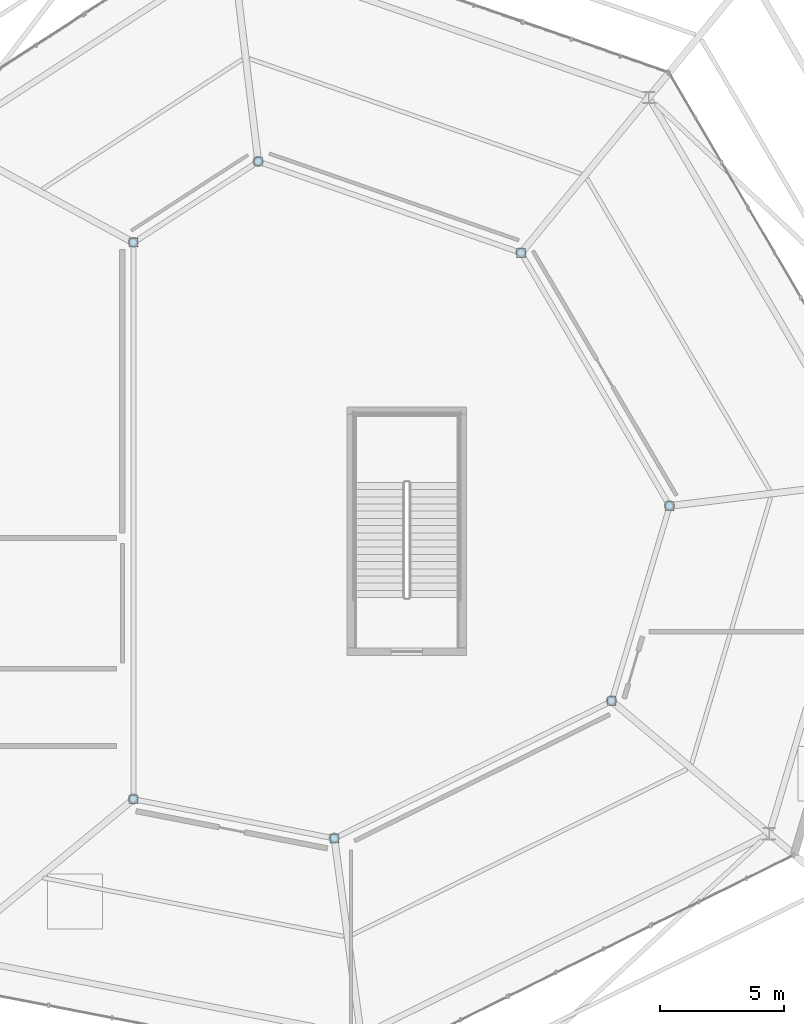
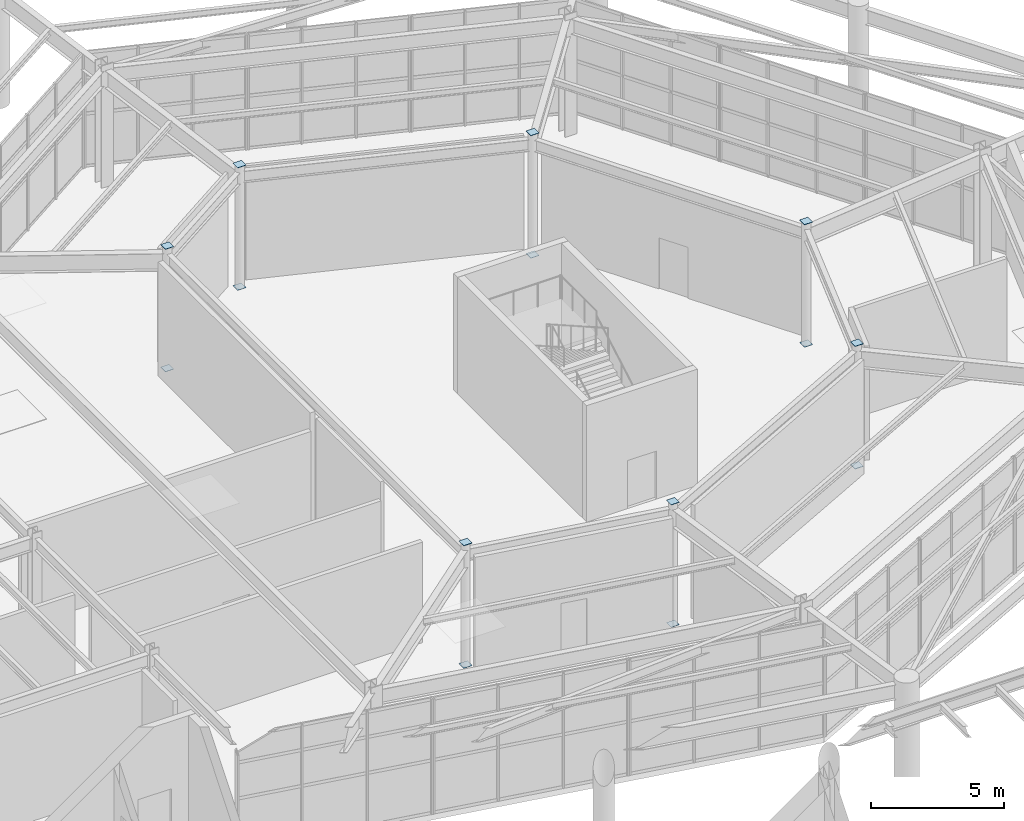
# One storey, part 42 of 70: 14 plates.
"""IFC4 building model written with IfcOpenShell, lengths in metres."""

import ifcopenshell
import ifcopenshell.guid

model = None  # the IFC model being written
_history = None  # IfcOwnerHistory: only IFC2X3 demands one
_inside = {}  # id of a spatial element -> (the spatial element, [elements in it])
_under = {}  # id of a project, library or spatial element -> (it, [spatial elements below it])
_declared = {}  # id of a project -> (the project, [libraries it declares])
_typed = {}  # id of a type object -> (the type object, [elements of that type])
_made_of = {}  # id of a material, layer set ... -> (it, [elements and type objects made of it])


def new_model(schema):
    """Start an empty IFC model of exactly this schema.

    Asked for "IFC4X3", IfcOpenShell would pick the latest addendum, in which some entities
    have other attributes; the version numbers below select the first issue.
    IFC2X3 requires an IfcOwnerHistory on every rooted entity: one is made here for all.
    """
    global model, _history
    if schema == "IFC4X3":
        model = ifcopenshell.file(schema_version=(4, 3, 0, 0))
    else:
        model = ifcopenshell.file(schema=schema)
    _inside.clear()
    _under.clear()
    _declared.clear()
    _typed.clear()
    _made_of.clear()
    _history = None
    if model.schema == "IFC2X3":
        org = make("IfcOrganization", Name="unknown")
        user = make(
            "IfcPersonAndOrganization",
            ThePerson=make("IfcPerson", FamilyName="unknown"),
            TheOrganization=org,
        )
        app = make(
            "IfcApplication",
            ApplicationDeveloper=org,
            Version="unknown",
            ApplicationFullName="unknown",
            ApplicationIdentifier="unknown",
        )
        _history = make(
            "IfcOwnerHistory",
            OwningUser=user,
            OwningApplication=app,
            ChangeAction="ADDED",
            CreationDate=0,
        )
    return model


def make(cls, **values):
    """One entity of the class cls with the attributes given. An attribute that is None is left unset."""
    return model.create_entity(
        cls, **{name: value for name, value in values.items() if value is not None}
    )


def rooted(cls, **values):
    """An entity with a GlobalId (a new one), such as an element, a storey or a relation."""
    return make(cls, GlobalId=ifcopenshell.guid.new(), OwnerHistory=_history, **values)


def si_unit(unit_type, name, prefix=None):
    """IfcSIUnit, for example si_unit("LENGTHUNIT", "METRE", prefix="MILLI")."""
    return make("IfcSIUnit", UnitType=unit_type, Prefix=prefix, Name=name)


def assignment(units):
    """IfcUnitAssignment: the units of a project."""
    return None if units is None else make("IfcUnitAssignment", Units=units)


def point(xyz):
    """IfcCartesianPoint."""
    return None if xyz is None else make("IfcCartesianPoint", Coordinates=xyz)


def direction(xyz):
    """IfcDirection."""
    return None if xyz is None else make("IfcDirection", DirectionRatios=xyz)


def frame(location, z_axis=None, x_axis=None):
    """IfcAxis2Placement3D, a coordinate frame: its origin and axes. An axis left out is left unset."""
    return make(
        "IfcAxis2Placement3D",
        Location=point(location),
        Axis=direction(z_axis),
        RefDirection=direction(x_axis),
    )


def frame_2d(location, x_axis=None):
    """IfcAxis2Placement2D, a coordinate frame in the plane: its origin and x axis."""
    return make(
        "IfcAxis2Placement2D", Location=point(location), RefDirection=direction(x_axis)
    )


def origin():
    """The frame at (0, 0, 0) with its axes left unset."""
    return frame((0.0, 0.0, 0.0))


def origin_2d():
    """The frame at (0, 0) in the plane with its x axis left unset."""
    return frame_2d((0.0, 0.0))


def place(relative_to, where):
    """IfcLocalPlacement: puts the frame where relative to a parent placement (None: the world)."""
    return make(
        "IfcLocalPlacement", PlacementRelTo=relative_to, RelativePlacement=where
    )


def context(
    kind, dimensions, precision=None, world=None, true_north=None, identifier=None
):
    """IfcGeometricRepresentationContext, for example the 3D "Model" context."""
    return make(
        "IfcGeometricRepresentationContext",
        ContextIdentifier=identifier,
        ContextType=kind,
        CoordinateSpaceDimension=dimensions,
        Precision=precision,
        WorldCoordinateSystem=world,
        TrueNorth=true_north,
    )


def subcontext(parent, identifier, kind, view, scale=None):
    """IfcGeometricRepresentationSubContext, for example "Body" below "Model"."""
    return make(
        "IfcGeometricRepresentationSubContext",
        ContextIdentifier=identifier,
        ContextType=kind,
        ParentContext=parent,
        TargetScale=scale,
        TargetView=view,
    )


def project(units=None, contexts=None):
    """IfcProject with its units and contexts."""
    return rooted(
        "IfcProject",
        Name="project",
        RepresentationContexts=contexts,
        UnitsInContext=assignment(units),
    )


def spatial(cls, under=None, at=None, **own):
    """A site, building, storey or space (cls), placed at a placement, below another one or the project."""
    s = rooted(cls, ObjectPlacement=at, **own)
    if under is not None:
        _under.setdefault(under.id(), (under, []))[1].append(s)
    return s


def profile(cls, at=None, kind="AREA", **sizes):
    """A parametric profile (cls). Its sizes go by their IFC names, for example OverallWidth=200.0."""
    return make(cls, ProfileType=kind, Position=at, **sizes)


def rectangle(**sizes):
    """IfcRectangleProfileDef."""
    return profile("IfcRectangleProfileDef", **sizes)


def extrude(swept, where, along, depth):
    """IfcExtrudedAreaSolid: the profile swept, set in the frame where, extruded along a direction by depth."""
    return make(
        "IfcExtrudedAreaSolid",
        SweptArea=swept,
        Position=where,
        ExtrudedDirection=direction(along),
        Depth=depth,
    )


def shape(context_of_items, identifier, shape_type, items):
    """IfcShapeRepresentation: the items that make up one representation, for example the "Body"."""
    return make(
        "IfcShapeRepresentation",
        ContextOfItems=context_of_items,
        RepresentationIdentifier=identifier,
        RepresentationType=shape_type,
        Items=items,
    )


def material(Name=None, Category=None):
    """IfcMaterial."""
    return make("IfcMaterial", Name=Name, Category=Category)


def layer(
    of_material, thickness, ventilated=None, Name=None, Category=None, Priority=None
):
    """IfcMaterialLayer: one layer of a wall or slab, of a material (None: an air gap)."""
    return make(
        "IfcMaterialLayer",
        Material=of_material,
        LayerThickness=thickness,
        IsVentilated=ventilated,
        Name=Name,
        Category=Category,
        Priority=Priority,
    )


def layer_set(layers, Name=None):
    """IfcMaterialLayerSet."""
    return make("IfcMaterialLayerSet", MaterialLayers=layers, LayerSetName=Name)


def made_of(thing, what):
    """Note that an element or type object is made of a material, layer set ...; save() writes the relation."""
    if what is not None:
        _made_of.setdefault(what.id(), (what, []))[1].append(thing)
    return thing


def type_object(cls, material=None, **own):
    """A type object (cls), such as IfcWallType, which elements share."""
    return made_of(rooted(cls, **own), material)


def element(
    cls,
    number,
    at=None,
    inside=None,
    cuts=None,
    type_object=None,
    material=None,
    context=None,
    identifier="Body",
    shape_type=None,
    held_by="IfcProductDefinitionShape",
    body=None,
    shapes=None,
    **own,
):
    """One element of the class cls, such as IfcWall. Its Tag is "e" and its number.

    at: its placement. inside: the storey or other place that contains it. cuts: it is an
    opening in that element (IfcRelVoidsElement). A single representation is given by context,
    identifier, shape_type and body (its items); several are given by shapes. held_by: the class
    of the entity that holds the representations. save() writes the other relations.
    """
    e = rooted(cls, Tag="e%d" % number, ObjectPlacement=at, **own)
    if body is not None:
        shapes = [shape(context, identifier, shape_type, body)]
    if shapes is not None:
        e.Representation = make(held_by, Representations=shapes)
    if inside is not None:
        _inside.setdefault(inside.id(), (inside, []))[1].append(e)
    if cuts is not None:
        rooted(
            "IfcRelVoidsElement", RelatingBuildingElement=cuts, RelatedOpeningElement=e
        )
    if type_object is not None:
        _typed.setdefault(type_object.id(), (type_object, []))[1].append(e)
    return made_of(e, material)


def aggregate(whole, parts):
    """IfcRelAggregates: a whole, such as a stair, and the parts it consists of."""
    return rooted("IfcRelAggregates", RelatingObject=whole, RelatedObjects=parts)


def save(model, path):
    """Write the relations noted so far, then the file.

    IfcRelAggregates (storeys below a building ...), IfcRelContainedInSpatialStructure (elements
    in a storey), IfcRelDefinesByType, IfcRelAssociatesMaterial and IfcRelDeclares: one each for
    every whole, place, type object, material and project.
    """
    for whole, parts in _under.values():
        aggregate(whole, parts)
    for where, things in _inside.values():
        rooted(
            "IfcRelContainedInSpatialStructure",
            RelatedElements=things,
            RelatingStructure=where,
        )
    for kind, things in _typed.values():
        rooted("IfcRelDefinesByType", RelatedObjects=things, RelatingType=kind)
    for what, things in _made_of.values():
        rooted("IfcRelAssociatesMaterial", RelatedObjects=things, RelatingMaterial=what)
    for by, libraries in _declared.values():
        rooted("IfcRelDeclares", RelatingContext=by, RelatedDefinitions=libraries)
    model.write(path)


model = new_model("IFC4")

# Units and contexts
model_context = context("Model", 3, precision=1e-05, world=origin(), true_north=direction((0.0, 1.0)))
body_context = subcontext(model_context, "Body", "Model", "MODEL_VIEW")
ifc_project = project(units=[si_unit("LENGTHUNIT", "METRE"), si_unit("AREAUNIT", "SQUARE_METRE"), si_unit("VOLUMEUNIT", "CUBIC_METRE"), si_unit("PLANEANGLEUNIT", "RADIAN"), si_unit("MASSUNIT", "GRAM", prefix="KILO")], contexts=[model_context])

# Site, building, storey
site_placement = place(None, origin())
site = spatial("IfcSite", under=ifc_project, at=site_placement, CompositionType="ELEMENT")
building_placement = place(site_placement, origin())
building = spatial("IfcBuilding", under=site, at=building_placement, Name="Sarnbrook Museum", CompositionType="ELEMENT")
storey_placement = place(building_placement, origin())
storey = spatial("IfcBuildingStorey", under=building, at=storey_placement, Name="L00", CompositionType="ELEMENT", Elevation=0.0)

# Plates
ifc_material = material(Name="Structural Steel Grade 350L0 (AS/NZS 3678, fy = 340 MPa for 20 < t <= 40 mm)", Category="steel")
ifc_layer = layer(ifc_material, 0.01611328125)
ifc_layer_set = layer_set([ifc_layer], Name="Structural Steel Grade 350L0 (AS/NZS 3678, fy = 340 MPa for 20 < t <= 40 mm)")
plate_type = type_object("IfcPlateType", Name="EndCapPlate_CAP355", PredefinedType="USERDEFINED", material=ifc_layer_set)
for number, where, z_axis, x_axis, name in (
    (1, (132.800048828125, 74.405029296875, -0.01611328125), (0.0, 0.0, 1.0), (1.0, 0.0, 0.0), "Hollow End Cap Plate COL:L00:V1R2-0-1"),
    (2, (132.800048828125, 74.405029296875, 5.599853515625), (0.0, 0.0, 1.0), (1.0, 0.0, 0.0), "Hollow End Cap Plate COL:L00:V1R2-0-2"),
    (3, (140.88720703125, 72.828857421875, -0.01611328125), (0.0, 0.0, 1.0), (1.0, 0.0, 0.0), "Hollow End Cap Plate COL:L00:V1R2-1-1"),
    (4, (140.88720703125, 72.828857421875, 5.599853515625), (0.0, 0.0, 1.0), (1.0, 0.0, 0.0), "Hollow End Cap Plate COL:L00:V1R2-1-2"),
    (5, (152.05029296875, 78.356201171875, -0.01611328125), (0.0, 0.0, 1.0), (1.0, 0.0, 0.0), "Hollow End Cap Plate COL:L00:V1R2-2-1"),
    (6, (152.05029296875, 78.356201171875, 5.599853515625), (0.0, 0.0, 1.0), (1.0, 0.0, 0.0), "Hollow End Cap Plate COL:L00:V1R2-2-2"),
    (7, (154.382080078125, 86.210205078125, -0.01611328125), (0.0, 0.0, 1.0), (1.0, 0.0, 0.0), "Hollow End Cap Plate COL:L00:V1R2-3-1"),
    (8, (154.382080078125, 86.210205078125, 5.599853515625), (0.0, 0.0, 1.0), (1.0, 0.0, 0.0), "Hollow End Cap Plate COL:L00:V1R2-3-2"),
    (9, (148.40576171875, 96.39599609375, -0.01611328125), (0.0, 0.0, 1.0), (1.0, 0.0, 0.0), "Hollow End Cap Plate COL:L00:V1R2-4-1"),
    (10, (148.40576171875, 96.39599609375, 5.599853515625), (0.0, 0.0, 1.0), (1.0, 0.0, 0.0), "Hollow End Cap Plate COL:L00:V1R2-4-2"),
    (11, (137.822509765625, 100.07080078125, -0.01611328125), (0.0, 0.0, 1.0), (1.0, 0.0, 0.0), "Hollow End Cap Plate COL:L00:V1R2-5-1"),
    (12, (137.822509765625, 100.07080078125, 5.599853515625), (0.0, 0.0, 1.0), (1.0, 0.0, 0.0), "Hollow End Cap Plate COL:L00:V1R2-5-2"),
    (13, (132.800048828125, 96.81201171875, -0.01611328125), (0.0, 0.0, 1.0), (1.0, 0.0, 0.0), "Hollow End Cap Plate COL:L00:V1R2-6-1"),
    (14, (132.800048828125, 96.81201171875, 5.599853515625), (0.0, 0.0, 1.0), (1.0, 0.0, 0.0), "Hollow End Cap Plate COL:L00:V1R2-6-2"),
):
    element("IfcPlate", number, at=place(storey_placement, frame(where, z_axis=z_axis, x_axis=x_axis)), inside=storey, type_object=plate_type, Name=name, ObjectType="END CAP PLATE", PredefinedType="USERDEFINED", context=body_context, shape_type="SweptSolid", body=[
        extrude(rectangle(XDim=0.360107421875, YDim=0.360107421875, at=origin_2d()), origin(), (0.0, 0.0, 1.0), 0.01611328125),
    ])

save(model, "model.ifc")
